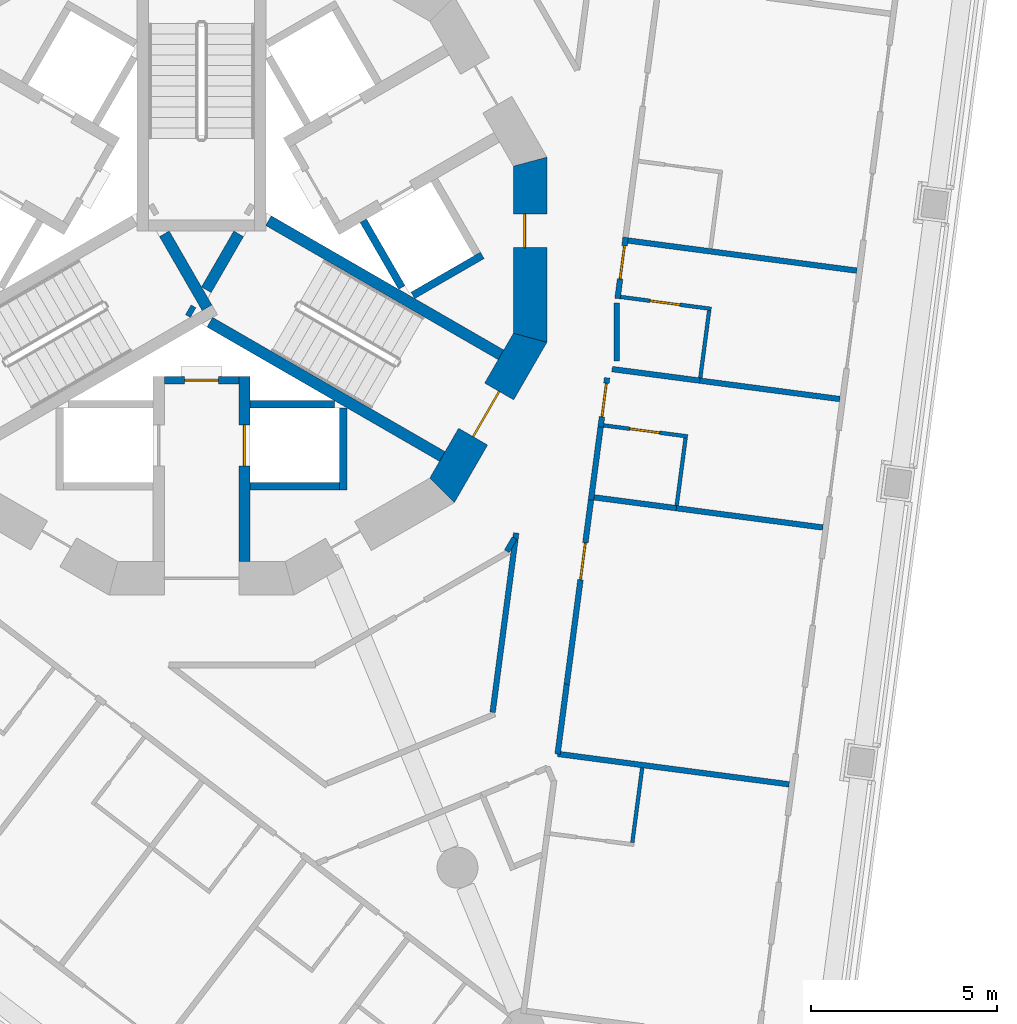
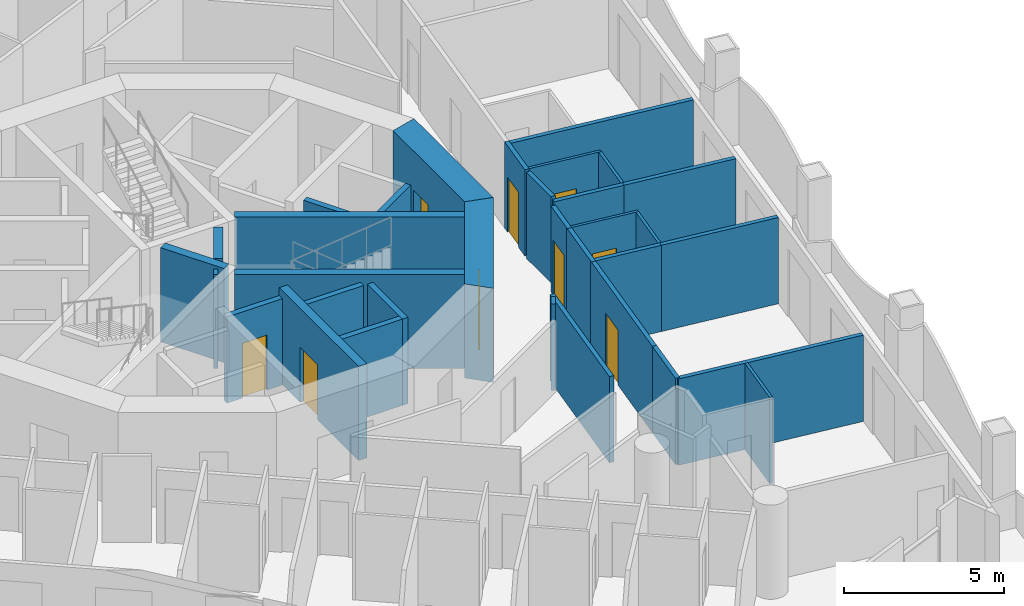
# One storey, part 5 of 17: 33 walls, 9 doors, 9 openings.
"""IFC4 building model written with IfcOpenShell, lengths in metres."""

from ifc_helpers import new_model, si_unit, direction, frame, frame_2d, origin, place, context, subcontext, project, spatial, polyline, rectangle, outline, extrude, material, layer, layer_set, type_object, element, fill, save


model = new_model("IFC4")

# Units and contexts
model_context = context("Model", 3, precision=1e-05, world=origin(), true_north=direction((0.0, 1.0)))
body_context = subcontext(model_context, "Body", "Model", "MODEL_VIEW")
ifc_project = project(units=[si_unit("LENGTHUNIT", "METRE"), si_unit("AREAUNIT", "SQUARE_METRE"), si_unit("VOLUMEUNIT", "CUBIC_METRE"), si_unit("PLANEANGLEUNIT", "RADIAN"), si_unit("MASSUNIT", "GRAM", prefix="KILO")], contexts=[model_context])

# Site, building, storey
site_placement = place(None, origin())
site = spatial("IfcSite", under=ifc_project, at=site_placement, CompositionType="ELEMENT")
building_placement = place(site_placement, origin())
building = spatial("IfcBuilding", under=site, at=building_placement, Name="Trine Commons Tower", CompositionType="ELEMENT")
storey_placement = place(building_placement, frame((0.0, 0.0, 149.39990234375)))
storey = spatial("IfcBuildingStorey", under=building, at=storey_placement, Name="L38", CompositionType="ELEMENT", Elevation=149.39990234375)

# Wall, opening, door
ifc_material_1 = material(Name="Fire-rated gypsum shaft wall system")
ifc_layer_1 = layer(ifc_material_1, 0.199951171875)
ifc_layer_set_1 = layer_set([ifc_layer_1], Name="Fire-rated gypsum shaft wall system")
wall_type_1 = type_object("IfcWallType", Name="Lobby end wall 200 mm, EI 120", PredefinedType="PARTITIONING", material=ifc_layer_set_1)
wall_1_placement = place(storey_placement, frame((79.0, 59.0, 0.0), z_axis=(0.0, 0.0, 1.0), x_axis=(1.0, 0.0, 0.0)))
wall_1 = element("IfcWall", 1, at=wall_1_placement, inside=storey, type_object=wall_type_1, Name="Lobby end wall L38", PredefinedType="PARTITIONING", context=body_context, shape_type="SweptSolid", body=[
    extrude(rectangle(XDim=2.0, YDim=0.199951171875, at=frame_2d((1.0, 0.0))), origin(), (0.0, 0.0, 1.0), 3.300048828125),
])
opening_1_placement = place(wall_1_placement, frame((0.550048828125, 0.0, 0.0)))
opening_1 = element("IfcOpeningElement", 2, at=opening_1_placement, cuts=wall_1, Name="Opening K09.09", PredefinedType="OPENING", context=body_context, shape_type="SweptSolid", body=[
    extrude(rectangle(XDim=0.89990234375, YDim=2.10009765625, at=frame_2d((0.449951171875, 1.050048828125))), frame((0.0, 0.10986328125, 0.0), z_axis=(0.0, -1.0, 0.0), x_axis=(1.0, 0.0, 0.0)), (0.0, 0.0, 1.0), 0.219970703125),
])
ifc_material_2 = material(Name="Steel door leaf, fire-rated", Category="steel")
door_type_1 = type_object("IfcDoorType", Name="Riser access door, single leaf 900 x 2100, FD60", OperationType="SINGLE_SWING_LEFT", PredefinedType="DOOR", material=ifc_material_2)
door_1_placement = place(opening_1_placement, frame((0.89990234375, 0.0, 0.0), z_axis=(0.0, 0.0, 1.0), x_axis=(-1.0, 0.0, 0.0)))
door_1 = element("IfcDoor", 3, at=door_1_placement, inside=storey, type_object=door_type_1, Name="Riser door, Communications riser L38", OperationType="SINGLE_SWING_RIGHT", OverallHeight=2.10009765625, OverallWidth=0.89990234375, PredefinedType="DOOR", context=body_context, shape_type="SweptSolid", body=[
    extrude(rectangle(XDim=0.89990234375, YDim=2.10009765625, at=frame_2d((0.449951171875, 1.050048828125))), frame((0.0, 0.02490234375, 0.0), z_axis=(0.0, -1.0, 0.0), x_axis=(1.0, 0.0, 0.0)), (0.0, 0.0, 1.0), 0.050048828125),
])
fill(opening_1, door_1)

ifc_material_3 = material(Name="Concrete C70/85", Category="concrete")
ifc_layer_2 = layer(ifc_material_3, 0.300048828125)
ifc_layer_set_2 = layer_set([ifc_layer_2], Name="Concrete C70/85")
wall_type_2 = type_object("IfcWallType", Name="RC shear wall 300 mm, C70/85", PredefinedType="SHEAR", material=ifc_layer_set_2)
wall_2_placement = place(storey_placement, frame((81.14990234375, 59.10009765625, 0.0), z_axis=(0.0, 0.0, 1.0), x_axis=(0.0, -1.0, 0.0)))
wall_2 = element("IfcWall", 4, at=wall_2_placement, inside=storey, type_object=wall_type_2, Name="Core cross wall SWB-04 L38", PredefinedType="SHEAR", context=body_context, shape_type="SweptSolid", body=[
    extrude(rectangle(XDim=4.97314453125, YDim=0.300048828125, at=frame_2d((2.486572265625, 0.0))), origin(), (0.0, 0.0, 1.0), 3.60009765625),
])
opening_2_placement = place(wall_2_placement, frame((1.300048828125, 0.0, 0.0)))
opening_2 = element("IfcOpeningElement", 5, at=opening_2_placement, cuts=wall_2, Name="Opening LD9", PredefinedType="OPENING", context=body_context, shape_type="SweptSolid", body=[
    extrude(rectangle(XDim=1.10009765625, YDim=2.10009765625, at=frame_2d((0.550048828125, 1.050048828125))), frame((0.0, 0.159912109375, 0.0), z_axis=(0.0, -1.0, 0.0), x_axis=(1.0, 0.0, 0.0)), (0.0, 0.0, 1.0), 0.320068359375),
])
ifc_material_4 = material(Name="Stainless steel sliding door leaves", Category="steel")
door_type_2 = type_object("IfcDoorType", Name="Lift landing door, centre-opening sliding 1100 x 2100, FD90", OperationType="DOUBLE_DOOR_SLIDING", PredefinedType="DOOR", material=ifc_material_4)
door_2_placement = place(opening_2_placement, origin())
door_2 = element("IfcDoor", 6, at=door_2_placement, inside=storey, type_object=door_type_2, Name="Lift landing door FF1 L38", OperationType="DOUBLE_DOOR_SLIDING", OverallHeight=2.10009765625, OverallWidth=1.10009765625, PredefinedType="DOOR", context=body_context, shape_type="SweptSolid", body=[
    extrude(rectangle(XDim=1.10009765625, YDim=2.10009765625, at=frame_2d((0.550048828125, 1.050048828125))), frame((0.0, 0.02490234375, 0.0), z_axis=(0.0, -1.0, 0.0), x_axis=(1.0, 0.0, 0.0)), (0.0, 0.0, 1.0), 0.050048828125),
])
fill(opening_2, door_2)

# Walls
wall_3_placement = place(storey_placement, frame((79.0029296875, 62.926025390625, 0.0), z_axis=(0.0, 0.0, 1.0), x_axis=(0.499965247104, -0.866045467449, 0.0)))
element("IfcWall", 7, at=wall_3_placement, inside=storey, type_object=wall_type_2, Name="Core cross wall SWB-10 L38", PredefinedType="SHEAR", context=body_context, shape_type="SweptSolid", body=[
    extrude(rectangle(XDim=2.292236328125, YDim=0.300048828125, at=frame_2d((1.14599609375, 0.0))), origin(), (0.0, 0.0, 1.0), 3.60009765625),
])
wall_4_placement = place(storey_placement, frame((79.64599609375, 60.885986328125, 0.0), z_axis=(0.0, 0.0, 1.0), x_axis=(0.867331893649, -0.497730234424, 0.0)))
element("IfcWall", 8, at=wall_4_placement, inside=storey, type_object=wall_type_2, Name="Core cross wall SWB-11 L38", PredefinedType="SHEAR", context=body_context, shape_type="SweptSolid", body=[
    extrude(rectangle(XDim=0.148681640625, YDim=0.300048828125, at=frame_2d((0.07421875, 0.0))), origin(), (0.0, 0.0, 1.0), 3.60009765625),
])
wall_5_placement = place(storey_placement, frame((80.1298828125, 61.424072265625, 0.0), z_axis=(0.0, 0.0, 1.0), x_axis=(0.500014901547, 0.866016800201, 0.0)))
element("IfcWall", 9, at=wall_5_placement, inside=storey, type_object=wall_type_2, Name="Core cross wall SWB-12 L38", PredefinedType="SHEAR", context=body_context, shape_type="SweptSolid", body=[
    extrude(rectangle(XDim=1.734375, YDim=0.300048828125, at=frame_2d((0.8671875, 0.0))), origin(), (0.0, 0.0, 1.0), 3.60009765625),
])
for number, where, z_axis, x_axis, name in (
    (10, (80.22509765625, 60.552001953125, 0.0), (0.0, 0.0, 1.0), (0.866028135082, -0.499995269223, 0.0), "Core cross wall SWB-13 L38"),
    (11, (81.800048828125, 63.280029296875, 0.0), (0.0, 0.0, 1.0), (0.866028135082, -0.499995269223, 0.0), "Core cross wall SWB-18 L38"),
):
    element("IfcWall", number, at=place(storey_placement, frame(where, z_axis=z_axis, x_axis=x_axis)), inside=storey, type_object=wall_type_2, Name=name, PredefinedType="SHEAR", context=body_context, shape_type="SweptSolid", body=[
        extrude(rectangle(XDim=7.2041015625, YDim=0.300048828125, at=frame_2d((3.60205078125, 0.0))), origin(), (0.0, 0.0, 1.0), 3.60009765625),
    ])

# Wall, opening, door
ifc_layer_3 = layer(ifc_material_3, 0.89990234375)
ifc_layer_set_3 = layer_set([ifc_layer_3], Name="Concrete C70/85")
wall_type_3 = type_object("IfcWallType", Name="RC shear wall 900 mm, C70/85", PredefinedType="SHEAR", material=ifc_layer_set_3)
wall_6_placement = place(storey_placement, frame((88.822998046875, 60.015380859375, 0.0), z_axis=(0.0, 0.0, 1.0), x_axis=(0.0, 1.0, 0.0)))
wall_6 = element("IfcWall", 12, at=wall_6_placement, inside=storey, type_object=wall_type_3, Name="Core wall CWD-01 L38", PredefinedType="SHEAR", context=body_context, shape_type="SweptSolid", body=[
    extrude(outline(polyline([(0.0, -0.449951171875), (4.969482421875, -0.449951171875), (4.728271484375, 0.449951171875), (0.2412109375, 0.449951171875), (0.0, -0.449951171875)])), origin(), (0.0, 0.0, 1.0), 3.60009765625),
])
opening_3_placement = place(wall_6_placement, frame((2.543701171875, 0.0, 0.0)))
opening_3 = element("IfcOpeningElement", 13, at=opening_3_placement, cuts=wall_6, Name="Opening K09.10", PredefinedType="OPENING", context=body_context, shape_type="SweptSolid", body=[
    extrude(rectangle(XDim=0.89990234375, YDim=2.10009765625, at=frame_2d((0.449951171875, 1.050048828125))), frame((0.0, 0.4599609375, 0.0), z_axis=(0.0, -1.0, 0.0), x_axis=(1.0, 0.0, 0.0)), (0.0, 0.0, 1.0), 0.919921875),
])
door_type_3 = type_object("IfcDoorType", Name="Core room door, single leaf 900 x 2100, FD30S", OperationType="SINGLE_SWING_LEFT", PredefinedType="DOOR", material=ifc_material_2)
door_3_placement = place(opening_3_placement, origin())
door_3 = element("IfcDoor", 14, at=door_3_placement, inside=storey, type_object=door_type_3, Name="Door to Core WC L38", OperationType="SINGLE_SWING_RIGHT", OverallHeight=2.10009765625, OverallWidth=0.89990234375, PredefinedType="DOOR", context=body_context, shape_type="SweptSolid", body=[
    extrude(rectangle(XDim=0.89990234375, YDim=2.10009765625, at=frame_2d((0.449951171875, 1.050048828125))), frame((0.0, 0.1748046875, 0.0), z_axis=(0.0, -1.0, 0.0), x_axis=(1.0, 0.0, 0.0)), (0.0, 0.0, 1.0), 0.050048828125),
])
fill(opening_3, door_3)

wall_7_placement = place(storey_placement, frame((86.3984375, 55.936767578125, 0.0), z_axis=(0.0, 0.0, 1.0), x_axis=(0.500038571144, 0.866003133579, 0.0)))
wall_7 = element("IfcWall", 15, at=wall_7_placement, inside=storey, type_object=wall_type_3, Name="Core wall CWD-12 L38", PredefinedType="SHEAR", context=body_context, shape_type="SweptSolid", body=[
    extrude(outline(polyline([(0.0, -0.449951171875), (4.96923828125, -0.449951171875), (4.72802734375, 0.449951171875), (0.2412109375, 0.449951171875), (0.0, -0.449951171875)])), origin(), (0.0, 0.0, 1.0), 3.60009765625),
])
opening_4_placement = place(wall_7_placement, frame((1.78466796875, 0.0, 0.0)))
opening_4 = element("IfcOpeningElement", 16, at=opening_4_placement, cuts=wall_7, Name="Opening K09.03", PredefinedType="OPENING", context=body_context, shape_type="SweptSolid", body=[
    extrude(rectangle(XDim=1.39990234375, YDim=2.10009765625, at=frame_2d((0.699951171875, 1.050048828125))), frame((0.0, 0.4599609375, 0.0), z_axis=(0.0, -1.0, 0.0), x_axis=(1.0, 0.0, 0.0)), (0.0, 0.0, 1.0), 0.919921875),
])
ifc_material_5 = material(Name="Steel door leaves, fire-rated", Category="steel")
door_type_4 = type_object("IfcDoorType", Name="Stair door, double leaf 1400 x 2100, FD90", OperationType="DOUBLE_DOOR_SINGLE_SWING", PredefinedType="DOOR", material=ifc_material_5)
door_4_placement = place(opening_4_placement, origin())
door_4 = element("IfcDoor", 17, at=door_4_placement, inside=storey, type_object=door_type_4, Name="Stair door to Exit stair ST3B L38", OperationType="DOUBLE_DOOR_SINGLE_SWING", OverallHeight=2.10009765625, OverallWidth=1.39990234375, PredefinedType="DOOR", context=body_context, shape_type="SweptSolid", body=[
    extrude(rectangle(XDim=1.39990234375, YDim=2.10009765625, at=frame_2d((0.699951171875, 1.050048828125))), frame((0.0, 0.02490234375, 0.0), z_axis=(0.0, -1.0, 0.0), x_axis=(1.0, 0.0, 0.0)), (0.0, 0.0, 1.0), 0.050048828125),
])
fill(opening_4, door_4)

# Walls
ifc_layer_4 = layer(ifc_material_1, 0.199951171875)
ifc_layer_set_4 = layer_set([ifc_layer_4], Name="Fire-rated gypsum shaft wall system")
wall_type_4 = type_object("IfcWallType", Name="Shaft wall 200 mm, EI 120", PredefinedType="PARTITIONING", material=ifc_layer_set_4)
wall_8_placement = place(storey_placement, frame((81.300048828125, 56.14990234375, 0.0), z_axis=(0.0, 0.0, 1.0), x_axis=(1.0, 0.0, 0.0)))
element("IfcWall", 18, at=wall_8_placement, inside=storey, type_object=wall_type_4, Name="Shaft wall L38", PredefinedType="PARTITIONING", context=body_context, shape_type="SweptSolid", body=[
    extrude(rectangle(XDim=2.39990234375, YDim=0.199951171875, at=frame_2d((1.199951171875, 0.0))), origin(), (0.0, 0.0, 1.0), 3.300048828125),
])
wall_9_placement = place(storey_placement, frame((81.300048828125, 58.35009765625, 0.0), z_axis=(0.0, 0.0, 1.0), x_axis=(1.0, 0.0, 0.0)))
element("IfcWall", 19, at=wall_9_placement, inside=storey, type_object=wall_type_4, Name="Shaft wall L38", PredefinedType="PARTITIONING", context=body_context, shape_type="SweptSolid", body=[
    extrude(rectangle(XDim=2.264892578125, YDim=0.199951171875, at=frame_2d((1.13232421875, 0.0))), origin(), (0.0, 0.0, 1.0), 3.300048828125),
])
wall_10_placement = place(storey_placement, frame((83.800048828125, 58.257080078125, 0.0), z_axis=(0.0, 0.0, 1.0), x_axis=(0.0, -1.0, 0.0)))
element("IfcWall", 20, at=wall_10_placement, inside=storey, type_object=wall_type_4, Name="Shaft wall L38", PredefinedType="PARTITIONING", context=body_context, shape_type="SweptSolid", body=[
    extrude(rectangle(XDim=2.20703125, YDim=0.199951171875, at=frame_2d((1.103515625, 0.0))), origin(), (0.0, 0.0, 1.0), 3.300048828125),
])
wall_11_placement = place(storey_placement, frame((84.343994140625, 63.27587890625, 0.0), z_axis=(0.0, 0.0, 1.0), x_axis=(0.500271688072, -0.86586848777, 0.0)))
element("IfcWall", 21, at=wall_11_placement, inside=storey, type_object=wall_type_4, Name="Shaft wall L38", PredefinedType="PARTITIONING", context=body_context, shape_type="SweptSolid", body=[
    extrude(rectangle(XDim=2.064697265625, YDim=0.199951171875, at=frame_2d((1.0322265625, 0.0))), origin(), (0.0, 0.0, 1.0), 3.300048828125),
])
wall_12_placement = place(storey_placement, frame((85.675048828125, 61.27392578125, 0.0), z_axis=(0.0, 0.0, 1.0), x_axis=(0.866102336459, 0.499866725018, 0.0)))
element("IfcWall", 22, at=wall_12_placement, inside=storey, type_object=wall_type_4, Name="Shaft wall L38", PredefinedType="PARTITIONING", context=body_context, shape_type="SweptSolid", body=[
    extrude(rectangle(XDim=2.1484375, YDim=0.199951171875, at=frame_2d((1.07421875, 0.0))), origin(), (0.0, 0.0, 1.0), 3.300048828125),
])
ifc_material_6 = material(Name="Gypsum plasterboard on steel stud", Category="steel")
ifc_layer_5 = layer(ifc_material_6, 0.14990234375)
ifc_layer_set_5 = layer_set([ifc_layer_5], Name="Gypsum plasterboard on steel stud")
wall_type_5 = type_object("IfcWallType", Name="Unit and corridor wall 150 mm, EI 60", PredefinedType="PARTITIONING", material=ifc_layer_set_5)
wall_13_placement = place(storey_placement, frame((87.814697265625, 50.080322265625, 0.0), z_axis=(0.0, 0.0, 1.0), x_axis=(0.130546835993, 0.991442143351, 0.0)))
element("IfcWall", 23, at=wall_13_placement, inside=storey, type_object=wall_type_5, Name="Partition 101", PredefinedType="PARTITIONING", context=body_context, shape_type="SweptSolid", body=[
    extrude(rectangle(XDim=4.856689453125, YDim=0.14990234375, at=frame_2d((2.42822265625, 0.0))), origin(), (0.0, 0.0, 1.0), 3.300048828125),
])
wall_14_placement = place(storey_placement, frame((88.198486328125, 54.404052734375, 0.0), z_axis=(0.0, 0.0, 1.0), x_axis=(0.499481060725, 0.866324806281, 0.0)))
element("IfcWall", 24, at=wall_14_placement, inside=storey, type_object=wall_type_5, Name="Partition 103", PredefinedType="PARTITIONING", context=body_context, shape_type="SweptSolid", body=[
    extrude(rectangle(XDim=0.40869140625, YDim=0.14990234375, at=frame_2d((0.204345703125, 0.0))), origin(), (0.0, 0.0, 1.0), 3.300048828125),
])
wall_15_placement = place(storey_placement, frame((89.55908203125, 48.9609375, 0.0), z_axis=(0.0, 0.0, 1.0), x_axis=(0.130073589494, 0.99150434256, 0.0)))
element("IfcWall", 25, at=wall_15_placement, inside=storey, type_object=wall_type_5, Name="Partition 112", PredefinedType="PARTITIONING", context=body_context, shape_type="SweptSolid", body=[
    extrude(rectangle(XDim=1.89013671875, YDim=0.14990234375, at=frame_2d((0.945068359375, 0.0))), origin(), (0.0, 0.0, 1.0), 3.300048828125),
])
wall_16_placement = place(storey_placement, frame((89.55908203125, 48.965087890625, 0.0), z_axis=(0.0, 0.0, 1.0), x_axis=(0.991455620836, -0.130444439942, 0.0)))
element("IfcWall", 26, at=wall_16_placement, inside=storey, type_object=wall_type_5, Name="Partition 113", PredefinedType="PARTITIONING", context=body_context, shape_type="SweptSolid", body=[
    extrude(rectangle(XDim=6.269775390625, YDim=0.14990234375, at=frame_2d((3.134765625, 0.0))), origin(), (0.0, 0.0, 1.0), 3.300048828125),
])

# Wall, opening, door
wall_17_placement = place(storey_placement, frame((89.804931640625, 50.8349609375, 0.0), z_axis=(0.0, 0.0, 1.0), x_axis=(0.130505549377, 0.991447578837, 0.0)))
wall_17 = element("IfcWall", 27, at=wall_17_placement, inside=storey, type_object=wall_type_5, Name="Partition 114", PredefinedType="PARTITIONING", context=body_context, shape_type="SweptSolid", body=[
    extrude(rectangle(XDim=5.073486328125, YDim=0.14990234375, at=frame_2d((2.53662109375, 0.0))), origin(), (0.0, 0.0, 1.0), 3.300048828125),
])
opening_5_placement = place(wall_17_placement, frame((2.83056640625, 0.0, 0.0)))
opening_5 = element("IfcOpeningElement", 28, at=opening_5_placement, cuts=wall_17, Name="Opening D-4C20", PredefinedType="OPENING", context=body_context, shape_type="SweptSolid", body=[
    extrude(rectangle(XDim=1.0, YDim=2.10009765625, at=frame_2d((0.5, 1.050048828125))), frame((0.0, 0.0849609375, 0.0), z_axis=(0.0, -1.0, 0.0), x_axis=(1.0, 0.0, 0.0)), (0.0, 0.0, 1.0), 0.169921875),
])
ifc_material_7 = material(Name="Painted timber", Category="wood")
door_type_5 = type_object("IfcDoorType", Name="Amenity room door 1000 x 2100, NOT RATED", OperationType="NOTDEFINED", PredefinedType="DOOR", material=ifc_material_7)
door_5_placement = place(opening_5_placement, frame((1.0, 0.0, 0.0), z_axis=(0.0, 0.0, 1.0), x_axis=(-1.0, 0.0, 0.0)))
door_5 = element("IfcDoor", 29, at=door_5_placement, inside=storey, type_object=door_type_5, Name="Door D-4C20", OperationType="SINGLE_SWING_LEFT", OverallHeight=2.10009765625, OverallWidth=1.0, PredefinedType="DOOR", context=body_context, shape_type="SweptSolid", body=[
    extrude(rectangle(XDim=1.0, YDim=2.10009765625, at=frame_2d((0.5, 1.050048828125))), frame((0.0, 0.02490234375, 0.0), z_axis=(0.0, -1.0, 0.0), x_axis=(1.0, 0.0, 0.0)), (0.0, 0.0, 1.0), 0.050048828125),
])
fill(opening_5, door_5)

# Walls
wall_18_placement = place(storey_placement, frame((90.456298828125, 55.78271484375, 0.0), z_axis=(0.0, 0.0, 1.0), x_axis=(0.130668874655, 0.99142606643, 0.0)))
element("IfcWall", 30, at=wall_18_placement, inside=storey, type_object=wall_type_5, Name="Partition 116", PredefinedType="PARTITIONING", context=body_context, shape_type="SweptSolid", body=[
    extrude(rectangle(XDim=2.03271484375, YDim=0.14990234375, at=frame_2d((1.016357421875, 0.0))), origin(), (0.0, 0.0, 1.0), 3.300048828125),
])
wall_19_placement = place(storey_placement, frame((90.54150390625, 55.851318359375, 0.0), z_axis=(0.0, 0.0, 1.0), x_axis=(0.991449812459, -0.130488579479, 0.0)))
element("IfcWall", 31, at=wall_19_placement, inside=storey, type_object=wall_type_5, Name="Partition 117", PredefinedType="PARTITIONING", context=body_context, shape_type="SweptSolid", body=[
    extrude(rectangle(XDim=2.224609375, YDim=0.14990234375, at=frame_2d((1.1123046875, 0.0))), origin(), (0.0, 0.0, 1.0), 3.300048828125),
])

# Wall, opening, door
wall_20_placement = place(storey_placement, frame((90.714599609375, 57.740478515625, 0.0), z_axis=(0.0, 0.0, 1.0), x_axis=(0.130240977229, 0.991482368905, 0.0)))
wall_20 = element("IfcWall", 32, at=wall_20_placement, inside=storey, type_object=wall_type_5, Name="Partition 120", PredefinedType="PARTITIONING", context=body_context, shape_type="SweptSolid", body=[
    extrude(rectangle(XDim=1.330810546875, YDim=0.14990234375, at=frame_2d((0.66552734375, 0.0))), origin(), (0.0, 0.0, 1.0), 3.300048828125),
])
opening_6_placement = place(wall_20_placement, frame((0.281005859375, 0.0, 0.0)))
opening_6 = element("IfcOpeningElement", 33, at=opening_6_placement, cuts=wall_20, Name="Opening D-4C19", PredefinedType="OPENING", context=body_context, shape_type="SweptSolid", body=[
    extrude(rectangle(XDim=0.89990234375, YDim=2.10009765625, at=frame_2d((0.449951171875, 1.050048828125))), frame((0.0, 0.0849609375, 0.0), z_axis=(0.0, -1.0, 0.0), x_axis=(1.0, 0.0, 0.0)), (0.0, 0.0, 1.0), 0.169921875),
])
ifc_material_8 = material(Name="Timber fire door set", Category="wood")
door_type_6 = type_object("IfcDoorType", Name="Bedroom door 900 x 2100, FD30S", OperationType="NOTDEFINED", PredefinedType="DOOR", material=ifc_material_8)
door_6_placement = place(opening_6_placement, frame((0.89990234375, 0.0, 0.0), z_axis=(0.0, 0.0, 1.0), x_axis=(-1.0, 0.0, 0.0)))
door_6 = element("IfcDoor", 34, at=door_6_placement, inside=storey, type_object=door_type_6, Name="Door D-4C19", OperationType="SINGLE_SWING_LEFT", OverallHeight=2.10009765625, OverallWidth=0.89990234375, PredefinedType="DOOR", context=body_context, shape_type="SweptSolid", body=[
    extrude(rectangle(XDim=0.89990234375, YDim=2.10009765625, at=frame_2d((0.449951171875, 1.050048828125))), frame((0.0, 0.02490234375, 0.0), z_axis=(0.0, -1.0, 0.0), x_axis=(1.0, 0.0, 0.0)), (0.0, 0.0, 1.0), 0.050048828125),
])
fill(opening_6, door_6)

# Walls
wall_21_placement = place(storey_placement, frame((91.02197265625, 59.294921875, 0.0), z_axis=(0.0, 0.0, 1.0), x_axis=(0.991478039458, -0.13027393167, 0.0)))
element("IfcWall", 35, at=wall_21_placement, inside=storey, type_object=wall_type_5, Name="Partition 123", PredefinedType="PARTITIONING", context=body_context, shape_type="SweptSolid", body=[
    extrude(rectangle(XDim=2.378173828125, YDim=0.14990234375, at=frame_2d((1.18896484375, 0.0))), origin(), (0.0, 0.0, 1.0), 3.300048828125),
])
wall_22_placement = place(storey_placement, frame((91.14794921875, 59.512939453125, 0.0), z_axis=(0.0, 0.0, 1.0), x_axis=(0.0, 1.0, 0.0)))
element("IfcWall", 36, at=wall_22_placement, inside=storey, type_object=wall_type_5, Name="Partition 124", PredefinedType="PARTITIONING", context=body_context, shape_type="SweptSolid", body=[
    extrude(rectangle(XDim=1.550048828125, YDim=0.14990234375, at=frame_2d((0.77490234375, 0.0))), origin(), (0.0, 0.0, 1.0), 3.300048828125),
])

# Wall, opening, door
wall_23_placement = place(storey_placement, frame((91.16845703125, 61.1884765625, 0.0), z_axis=(0.0, 0.0, 1.0), x_axis=(0.130294737563, 0.991475305473, 0.0)))
wall_23 = element("IfcWall", 37, at=wall_23_placement, inside=storey, type_object=wall_type_5, Name="Partition 125", PredefinedType="PARTITIONING", context=body_context, shape_type="SweptSolid", body=[
    extrude(rectangle(XDim=1.66015625, YDim=0.14990234375, at=frame_2d((0.830078125, 0.0))), origin(), (0.0, 0.0, 1.0), 3.300048828125),
])
opening_7_placement = place(wall_23_placement, frame((0.531005859375, 0.0, 0.0)))
opening_7 = element("IfcOpeningElement", 38, at=opening_7_placement, cuts=wall_23, Name="Opening D-4C18", PredefinedType="OPENING", context=body_context, shape_type="SweptSolid", body=[
    extrude(rectangle(XDim=0.89990234375, YDim=2.10009765625, at=frame_2d((0.449951171875, 1.050048828125))), frame((0.0, 0.0849609375, 0.0), z_axis=(0.0, -1.0, 0.0), x_axis=(1.0, 0.0, 0.0)), (0.0, 0.0, 1.0), 0.169921875),
])
door_7_placement = place(opening_7_placement, frame((0.89990234375, 0.0, 0.0), z_axis=(0.0, 0.0, 1.0), x_axis=(-1.0, 0.0, 0.0)))
door_7 = element("IfcDoor", 39, at=door_7_placement, inside=storey, type_object=door_type_6, Name="Door D-4C18", OperationType="SINGLE_SWING_LEFT", OverallHeight=2.10009765625, OverallWidth=0.89990234375, PredefinedType="DOOR", context=body_context, shape_type="SweptSolid", body=[
    extrude(rectangle(XDim=0.89990234375, YDim=2.10009765625, at=frame_2d((0.449951171875, 1.050048828125))), frame((0.0, 0.02490234375, 0.0), z_axis=(0.0, -1.0, 0.0), x_axis=(1.0, 0.0, 0.0)), (0.0, 0.0, 1.0), 0.050048828125),
])
fill(opening_7, door_7)

# Walls
wall_24_placement = place(storey_placement, frame((91.449462890625, 62.74609375, 0.0), z_axis=(0.0, 0.0, 1.0), x_axis=(0.991457381012, -0.130431060858, 0.0)))
element("IfcWall", 40, at=wall_24_placement, inside=storey, type_object=wall_type_5, Name="Partition 128", PredefinedType="PARTITIONING", context=body_context, shape_type="SweptSolid", body=[
    extrude(rectangle(XDim=6.19384765625, YDim=0.14990234375, at=frame_2d((3.096923828125, 0.0))), origin(), (0.0, 0.0, 1.0), 3.300048828125),
])
wall_25_placement = place(storey_placement, frame((92.7470703125, 55.56103515625, 0.0), z_axis=(0.0, 0.0, 1.0), x_axis=(0.991421815949, -0.130701120348, 0.0)))
element("IfcWall", 41, at=wall_25_placement, inside=storey, type_object=wall_type_5, Name="Partition 138", PredefinedType="PARTITIONING", context=body_context, shape_type="SweptSolid", body=[
    extrude(rectangle(XDim=3.96923828125, YDim=0.14990234375, at=frame_2d((1.984619140625, 0.0))), origin(), (0.0, 0.0, 1.0), 3.300048828125),
])
wall_26_placement = place(storey_placement, frame((93.3798828125, 58.985107421875, 0.0), z_axis=(0.0, 0.0, 1.0), x_axis=(0.991433227535, -0.130614529586, 0.0)))
element("IfcWall", 42, at=wall_26_placement, inside=storey, type_object=wall_type_5, Name="Partition 144", PredefinedType="PARTITIONING", context=body_context, shape_type="SweptSolid", body=[
    extrude(rectangle(XDim=3.788818359375, YDim=0.14990234375, at=frame_2d((1.89453125, 0.0))), origin(), (0.0, 0.0, 1.0), 3.300048828125),
])

# Wall, opening, door
ifc_layer_6 = layer(ifc_material_6, 0.10009765625)
ifc_layer_set_6 = layer_set([ifc_layer_6], Name="Gypsum plasterboard on steel stud")
wall_type_6 = type_object("IfcWallType", Name="Unit partition 100 mm, no rating", PredefinedType="PARTITIONING", material=ifc_layer_set_6)
wall_27_placement = place(storey_placement, frame((90.79638671875, 57.7841796875, 0.0), z_axis=(0.0, 0.0, 1.0), x_axis=(0.991459774706, -0.130412864162, 0.0)))
wall_27 = element("IfcWall", 43, at=wall_27_placement, inside=storey, type_object=wall_type_6, Name="Partition 121", PredefinedType="PARTITIONING", context=body_context, shape_type="SweptSolid", body=[
    extrude(rectangle(XDim=2.274658203125, YDim=0.10009765625, at=frame_2d((1.13720703125, 0.0))), origin(), (0.0, 0.0, 1.0), 3.300048828125),
])
opening_8_placement = place(wall_27_placement, frame((0.71240234375, 0.0, 0.0)))
opening_8 = element("IfcOpeningElement", 44, at=opening_8_placement, cuts=wall_27, Name="Opening D-4C51", PredefinedType="OPENING", context=body_context, shape_type="SweptSolid", body=[
    extrude(rectangle(XDim=0.800048828125, YDim=2.10009765625, at=frame_2d((0.39990234375, 1.050048828125))), frame((0.0, 0.06005859375, 0.0), z_axis=(0.0, -1.0, 0.0), x_axis=(1.0, 0.0, 0.0)), (0.0, 0.0, 1.0), 0.1201171875),
])
door_type_7 = type_object("IfcDoorType", Name="Internal door 800 x 2100, NOT RATED", OperationType="NOTDEFINED", PredefinedType="DOOR", material=ifc_material_7)
door_8_placement = place(opening_8_placement, origin())
door_8 = element("IfcDoor", 45, at=door_8_placement, inside=storey, type_object=door_type_7, Name="Door D-4C51", OperationType="SINGLE_SWING_LEFT", OverallHeight=2.10009765625, OverallWidth=0.800048828125, PredefinedType="DOOR", context=body_context, shape_type="SweptSolid", body=[
    extrude(rectangle(XDim=0.800048828125, YDim=2.10009765625, at=frame_2d((0.39990234375, 1.050048828125))), frame((0.0, 0.02490234375, 0.0), z_axis=(0.0, -1.0, 0.0), x_axis=(1.0, 0.0, 0.0)), (0.0, 0.0, 1.0), 0.050048828125),
])
fill(opening_8, door_8)

wall_28_placement = place(storey_placement, frame((91.24951171875, 61.232177734375, 0.0), z_axis=(0.0, 0.0, 1.0), x_axis=(0.991446173562, -0.130516224773, 0.0)))
wall_28 = element("IfcWall", 46, at=wall_28_placement, inside=storey, type_object=wall_type_6, Name="Partition 126", PredefinedType="PARTITIONING", context=body_context, shape_type="SweptSolid", body=[
    extrude(rectangle(XDim=2.4560546875, YDim=0.10009765625, at=frame_2d((1.22802734375, 0.0))), origin(), (0.0, 0.0, 1.0), 3.300048828125),
])
opening_9_placement = place(wall_28_placement, frame((0.802978515625, 0.0, 0.0)))
opening_9 = element("IfcOpeningElement", 47, at=opening_9_placement, cuts=wall_28, Name="Opening D-4C50", PredefinedType="OPENING", context=body_context, shape_type="SweptSolid", body=[
    extrude(rectangle(XDim=0.800048828125, YDim=2.10009765625, at=frame_2d((0.39990234375, 1.050048828125))), frame((0.0, 0.06005859375, 0.0), z_axis=(0.0, -1.0, 0.0), x_axis=(1.0, 0.0, 0.0)), (0.0, 0.0, 1.0), 0.1201171875),
])
door_9_placement = place(opening_9_placement, origin())
door_9 = element("IfcDoor", 48, at=door_9_placement, inside=storey, type_object=door_type_7, Name="Door D-4C50", OperationType="SINGLE_SWING_LEFT", OverallHeight=2.10009765625, OverallWidth=0.800048828125, PredefinedType="DOOR", context=body_context, shape_type="SweptSolid", body=[
    extrude(rectangle(XDim=0.800048828125, YDim=2.10009765625, at=frame_2d((0.39990234375, 1.050048828125))), frame((0.0, 0.02490234375, 0.0), z_axis=(0.0, -1.0, 0.0), x_axis=(1.0, 0.0, 0.0)), (0.0, 0.0, 1.0), 0.050048828125),
])
fill(opening_9, door_9)

# Walls
wall_29_placement = place(storey_placement, frame((91.5654296875, 46.58349609375, 0.0), z_axis=(0.0, 0.0, 1.0), x_axis=(0.130725909934, 0.991418547573, 0.0)))
element("IfcWall", 49, at=wall_29_placement, inside=storey, type_object=wall_type_6, Name="Partition 129", PredefinedType="PARTITIONING", context=body_context, shape_type="SweptSolid", body=[
    extrude(rectangle(XDim=2.0244140625, YDim=0.10009765625, at=frame_2d((1.01220703125, 0.0))), origin(), (0.0, 0.0, 1.0), 3.300048828125),
])
wall_30_placement = place(storey_placement, frame((92.7568359375, 55.635498046875, 0.0), z_axis=(0.0, 0.0, 1.0), x_axis=(0.130866407284, 0.991400011824, 0.0)))
element("IfcWall", 50, at=wall_30_placement, inside=storey, type_object=wall_type_6, Name="Partition 137", PredefinedType="PARTITIONING", context=body_context, shape_type="SweptSolid", body=[
    extrude(rectangle(XDim=1.824462890625, YDim=0.10009765625, at=frame_2d((0.912109375, 0.0))), origin(), (0.0, 0.0, 1.0), 3.300048828125),
])
wall_31_placement = place(storey_placement, frame((93.389892578125, 59.059326171875, 0.0), z_axis=(0.0, 0.0, 1.0), x_axis=(0.130717543687, 0.991419650689, 0.0)))
element("IfcWall", 51, at=wall_31_placement, inside=storey, type_object=wall_type_6, Name="Partition 143", PredefinedType="PARTITIONING", context=body_context, shape_type="SweptSolid", body=[
    extrude(rectangle(XDim=1.82470703125, YDim=0.10009765625, at=frame_2d((0.912353515625, 0.0))), origin(), (0.0, 0.0, 1.0), 3.300048828125),
])

save(model, "model.ifc")
